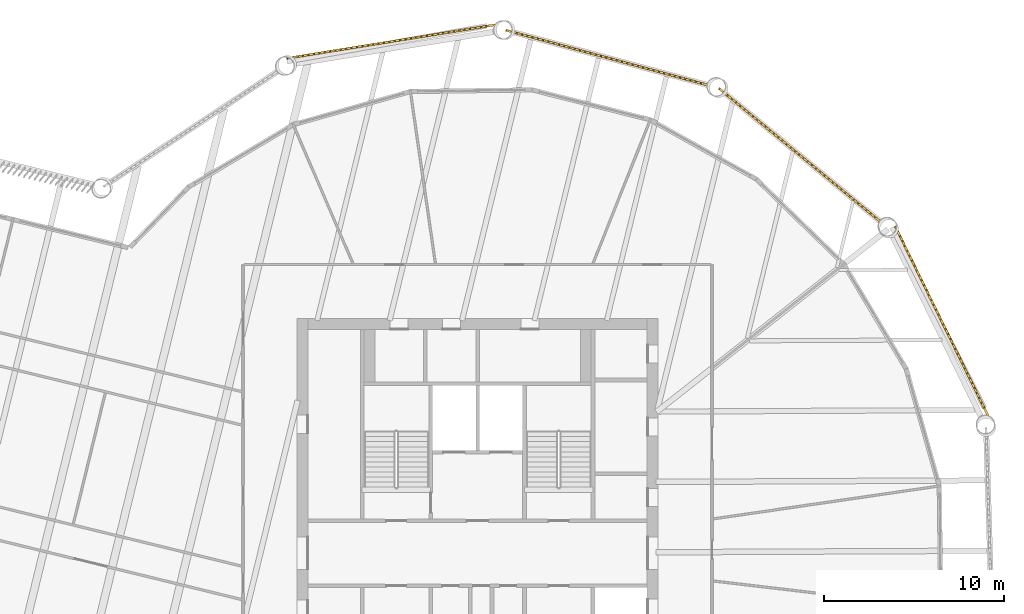
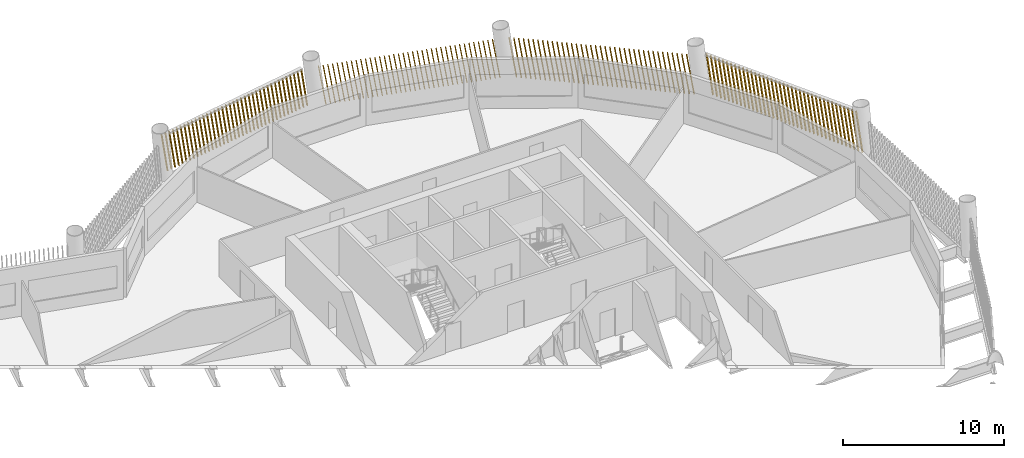
# One storey, part 14 of 15: 4 shading devices.
"""IFC4 building model written with IfcOpenShell, lengths in metres."""

from ifc_helpers import new_model, si_unit, direction, frame, frame_2d, origin, place, context, subcontext, project, spatial, rectangle, composite_profile, extrude, material, type_object, element, save


model = new_model("IFC4")

# Units and contexts
model_context = context("Model", 3, precision=1e-05, world=origin(), true_north=direction((0.0, 1.0)))
body_context = subcontext(model_context, "Body", "Model", "MODEL_VIEW")
ifc_project = project(units=[si_unit("LENGTHUNIT", "METRE"), si_unit("AREAUNIT", "SQUARE_METRE"), si_unit("VOLUMEUNIT", "CUBIC_METRE"), si_unit("PLANEANGLEUNIT", "RADIAN"), si_unit("MASSUNIT", "GRAM", prefix="KILO")], contexts=[model_context])

# Site, building, storey
site_placement = place(None, origin())
site = spatial("IfcSite", under=ifc_project, at=site_placement, CompositionType="ELEMENT")
building_placement = place(site_placement, origin())
building = spatial("IfcBuilding", under=site, at=building_placement, Name="Tarsis Ring Headquarters", CompositionType="ELEMENT")
storey_placement = place(building_placement, frame((0.0, 0.0, 227.699951171875)))
storey = spatial("IfcBuildingStorey", under=building, at=storey_placement, Name="L53", CompositionType="ELEMENT", Elevation=227.699951171875)

# Shading devices
ifc_material = material(Name="Terracotta baguette", Category="masonry")
shading_device_type = type_object("IfcShadingDeviceType", Name="Terracotta baguette screen", PredefinedType="USERDEFINED", material=ifc_material)
shading_device_1_placement = place(storey_placement, frame((28.31005859375, 7.61083984375, 0.0), z_axis=(0.0, 0.0, 1.0), x_axis=(-0.440086814976, 0.897948996202, 0.0)))
element("IfcShadingDevice", 1, at=shading_device_1_placement, inside=storey, type_object=shading_device_type, Name="Baguette screen L53-10", ObjectType="Terracotta baguette screen", PredefinedType="USERDEFINED", context=body_context, shape_type="SweptSolid", body=[
    extrude(composite_profile([rectangle(XDim=0.06005859375, YDim=0.1201171875, at=frame_2d((0.030029296875, 0.0))), rectangle(XDim=0.06005859375, YDim=0.1201171875, at=frame_2d((0.33251953125, 0.0))), rectangle(XDim=0.06005859375, YDim=0.1201171875, at=frame_2d((0.634765625, 0.0))), rectangle(XDim=0.06005859375, YDim=0.1201171875, at=frame_2d((0.937255859375, 0.0))), rectangle(XDim=0.06005859375, YDim=0.1201171875, at=frame_2d((1.239501953125, 0.0))), rectangle(XDim=0.06005859375, YDim=0.1201171875, at=frame_2d((1.5419921875, 0.0))), rectangle(XDim=0.06005859375, YDim=0.1201171875, at=frame_2d((1.844482421875, 0.0))), rectangle(XDim=0.06005859375, YDim=0.1201171875, at=frame_2d((2.146728515625, 0.0))), rectangle(XDim=0.06005859375, YDim=0.1201171875, at=frame_2d((2.44921875, 0.0))), rectangle(XDim=0.06005859375, YDim=0.1201171875, at=frame_2d((2.751708984375, 0.0))), rectangle(XDim=0.06005859375, YDim=0.1201171875, at=frame_2d((3.053955078125, 0.0))), rectangle(XDim=0.06005859375, YDim=0.1201171875, at=frame_2d((3.3564453125, 0.0))), rectangle(XDim=0.06005859375, YDim=0.1201171875, at=frame_2d((3.65869140625, 0.0))), rectangle(XDim=0.06005859375, YDim=0.1201171875, at=frame_2d((3.961181640625, 0.0))), rectangle(XDim=0.06005859375, YDim=0.1201171875, at=frame_2d((4.263671875, 0.0))), rectangle(XDim=0.06005859375, YDim=0.1201171875, at=frame_2d((4.56591796875, 0.0))), rectangle(XDim=0.06005859375, YDim=0.1201171875, at=frame_2d((4.868408203125, 0.0))), rectangle(XDim=0.06005859375, YDim=0.1201171875, at=frame_2d((5.1708984375, 0.0))), rectangle(XDim=0.06005859375, YDim=0.1201171875, at=frame_2d((5.47314453125, 0.0))), rectangle(XDim=0.06005859375, YDim=0.1201171875, at=frame_2d((5.775634765625, 0.0))), rectangle(XDim=0.06005859375, YDim=0.1201171875, at=frame_2d((6.077880859375, 0.0))), rectangle(XDim=0.06005859375, YDim=0.1201171875, at=frame_2d((6.38037109375, 0.0))), rectangle(XDim=0.06005859375, YDim=0.1201171875, at=frame_2d((6.682861328125, 0.0))), rectangle(XDim=0.06005859375, YDim=0.1201171875, at=frame_2d((6.985107421875, 0.0))), rectangle(XDim=0.06005859375, YDim=0.1201171875, at=frame_2d((7.28759765625, 0.0))), rectangle(XDim=0.06005859375, YDim=0.1201171875, at=frame_2d((7.590087890625, 0.0))), rectangle(XDim=0.06005859375, YDim=0.1201171875, at=frame_2d((7.892333984375, 0.0))), rectangle(XDim=0.06005859375, YDim=0.1201171875, at=frame_2d((8.19482421875, 0.0))), rectangle(XDim=0.06005859375, YDim=0.1201171875, at=frame_2d((8.4970703125, 0.0))), rectangle(XDim=0.06005859375, YDim=0.1201171875, at=frame_2d((8.799560546875, 0.0))), rectangle(XDim=0.06005859375, YDim=0.1201171875, at=frame_2d((9.10205078125, 0.0))), rectangle(XDim=0.06005859375, YDim=0.1201171875, at=frame_2d((9.404296875, 0.0))), rectangle(XDim=0.06005859375, YDim=0.1201171875, at=frame_2d((9.706787109375, 0.0))), rectangle(XDim=0.06005859375, YDim=0.1201171875, at=frame_2d((10.00927734375, 0.0))), rectangle(XDim=0.06005859375, YDim=0.1201171875, at=frame_2d((10.3115234375, 0.0))), rectangle(XDim=0.06005859375, YDim=0.1201171875, at=frame_2d((10.614013671875, 0.0))), rectangle(XDim=0.06005859375, YDim=0.1201171875, at=frame_2d((10.916259765625, 0.0))), rectangle(XDim=0.06005859375, YDim=0.1201171875, at=frame_2d((11.21875, 0.0)))]), origin(), (0.161263760824, 0.001348576308, 0.986910421865), 2.989013671875),
])
shading_device_2_placement = place(storey_placement, frame((22.417236328125, 18.31396484375, 0.0), z_axis=(0.0, 0.0, 1.0), x_axis=(-0.771068909387, 0.636744438416, 0.0)))
element("IfcShadingDevice", 2, at=shading_device_2_placement, inside=storey, type_object=shading_device_type, Name="Baguette screen L53-11", ObjectType="Terracotta baguette screen", PredefinedType="USERDEFINED", context=body_context, shape_type="SweptSolid", body=[
    extrude(composite_profile([rectangle(XDim=0.06005859375, YDim=0.1201171875, at=frame_2d((0.030029296875, 0.0))), rectangle(XDim=0.06005859375, YDim=0.1201171875, at=frame_2d((0.33251953125, 0.0))), rectangle(XDim=0.06005859375, YDim=0.1201171875, at=frame_2d((0.634765625, 0.0))), rectangle(XDim=0.06005859375, YDim=0.1201171875, at=frame_2d((0.937255859375, 0.0))), rectangle(XDim=0.06005859375, YDim=0.1201171875, at=frame_2d((1.239501953125, 0.0))), rectangle(XDim=0.06005859375, YDim=0.1201171875, at=frame_2d((1.5419921875, 0.0))), rectangle(XDim=0.06005859375, YDim=0.1201171875, at=frame_2d((1.844482421875, 0.0))), rectangle(XDim=0.06005859375, YDim=0.1201171875, at=frame_2d((2.146728515625, 0.0))), rectangle(XDim=0.06005859375, YDim=0.1201171875, at=frame_2d((2.44921875, 0.0))), rectangle(XDim=0.06005859375, YDim=0.1201171875, at=frame_2d((2.751708984375, 0.0))), rectangle(XDim=0.06005859375, YDim=0.1201171875, at=frame_2d((3.053955078125, 0.0))), rectangle(XDim=0.06005859375, YDim=0.1201171875, at=frame_2d((3.3564453125, 0.0))), rectangle(XDim=0.06005859375, YDim=0.1201171875, at=frame_2d((3.65869140625, 0.0))), rectangle(XDim=0.06005859375, YDim=0.1201171875, at=frame_2d((3.961181640625, 0.0))), rectangle(XDim=0.06005859375, YDim=0.1201171875, at=frame_2d((4.263671875, 0.0))), rectangle(XDim=0.06005859375, YDim=0.1201171875, at=frame_2d((4.56591796875, 0.0))), rectangle(XDim=0.06005859375, YDim=0.1201171875, at=frame_2d((4.868408203125, 0.0))), rectangle(XDim=0.06005859375, YDim=0.1201171875, at=frame_2d((5.1708984375, 0.0))), rectangle(XDim=0.06005859375, YDim=0.1201171875, at=frame_2d((5.47314453125, 0.0))), rectangle(XDim=0.06005859375, YDim=0.1201171875, at=frame_2d((5.775634765625, 0.0))), rectangle(XDim=0.06005859375, YDim=0.1201171875, at=frame_2d((6.077880859375, 0.0))), rectangle(XDim=0.06005859375, YDim=0.1201171875, at=frame_2d((6.38037109375, 0.0))), rectangle(XDim=0.06005859375, YDim=0.1201171875, at=frame_2d((6.682861328125, 0.0))), rectangle(XDim=0.06005859375, YDim=0.1201171875, at=frame_2d((6.985107421875, 0.0))), rectangle(XDim=0.06005859375, YDim=0.1201171875, at=frame_2d((7.28759765625, 0.0))), rectangle(XDim=0.06005859375, YDim=0.1201171875, at=frame_2d((7.590087890625, 0.0))), rectangle(XDim=0.06005859375, YDim=0.1201171875, at=frame_2d((7.892333984375, 0.0))), rectangle(XDim=0.06005859375, YDim=0.1201171875, at=frame_2d((8.19482421875, 0.0))), rectangle(XDim=0.06005859375, YDim=0.1201171875, at=frame_2d((8.4970703125, 0.0))), rectangle(XDim=0.06005859375, YDim=0.1201171875, at=frame_2d((8.799560546875, 0.0))), rectangle(XDim=0.06005859375, YDim=0.1201171875, at=frame_2d((9.10205078125, 0.0))), rectangle(XDim=0.06005859375, YDim=0.1201171875, at=frame_2d((9.404296875, 0.0))), rectangle(XDim=0.06005859375, YDim=0.1201171875, at=frame_2d((9.706787109375, 0.0))), rectangle(XDim=0.06005859375, YDim=0.1201171875, at=frame_2d((10.00927734375, 0.0))), rectangle(XDim=0.06005859375, YDim=0.1201171875, at=frame_2d((10.3115234375, 0.0))), rectangle(XDim=0.06005859375, YDim=0.1201171875, at=frame_2d((10.614013671875, 0.0))), rectangle(XDim=0.06005859375, YDim=0.1201171875, at=frame_2d((10.916259765625, 0.0))), rectangle(XDim=0.06005859375, YDim=0.1201171875, at=frame_2d((11.21875, 0.0)))]), origin(), (0.159215734763, 0.001336168018, 0.987242910564), 2.988037109375),
])
shading_device_3_placement = place(storey_placement, frame((12.87548828125, 25.926025390625, 0.0), z_axis=(0.0, 0.0, 1.0), x_axis=(-0.964991861096, 0.262311448725, 0.0)))
element("IfcShadingDevice", 3, at=shading_device_3_placement, inside=storey, type_object=shading_device_type, Name="Baguette screen L53-12", ObjectType="Terracotta baguette screen", PredefinedType="USERDEFINED", context=body_context, shape_type="SweptSolid", body=[
    extrude(composite_profile([rectangle(XDim=0.06005859375, YDim=0.1201171875, at=frame_2d((0.030029296875, 0.0))), rectangle(XDim=0.06005859375, YDim=0.1201171875, at=frame_2d((0.33251953125, 0.0))), rectangle(XDim=0.06005859375, YDim=0.1201171875, at=frame_2d((0.634765625, 0.0))), rectangle(XDim=0.06005859375, YDim=0.1201171875, at=frame_2d((0.937255859375, 0.0))), rectangle(XDim=0.06005859375, YDim=0.1201171875, at=frame_2d((1.239501953125, 0.0))), rectangle(XDim=0.06005859375, YDim=0.1201171875, at=frame_2d((1.5419921875, 0.0))), rectangle(XDim=0.06005859375, YDim=0.1201171875, at=frame_2d((1.844482421875, 0.0))), rectangle(XDim=0.06005859375, YDim=0.1201171875, at=frame_2d((2.146728515625, 0.0))), rectangle(XDim=0.06005859375, YDim=0.1201171875, at=frame_2d((2.44921875, 0.0))), rectangle(XDim=0.06005859375, YDim=0.1201171875, at=frame_2d((2.751708984375, 0.0))), rectangle(XDim=0.06005859375, YDim=0.1201171875, at=frame_2d((3.053955078125, 0.0))), rectangle(XDim=0.06005859375, YDim=0.1201171875, at=frame_2d((3.3564453125, 0.0))), rectangle(XDim=0.06005859375, YDim=0.1201171875, at=frame_2d((3.65869140625, 0.0))), rectangle(XDim=0.06005859375, YDim=0.1201171875, at=frame_2d((3.961181640625, 0.0))), rectangle(XDim=0.06005859375, YDim=0.1201171875, at=frame_2d((4.263671875, 0.0))), rectangle(XDim=0.06005859375, YDim=0.1201171875, at=frame_2d((4.56591796875, 0.0))), rectangle(XDim=0.06005859375, YDim=0.1201171875, at=frame_2d((4.868408203125, 0.0))), rectangle(XDim=0.06005859375, YDim=0.1201171875, at=frame_2d((5.1708984375, 0.0))), rectangle(XDim=0.06005859375, YDim=0.1201171875, at=frame_2d((5.47314453125, 0.0))), rectangle(XDim=0.06005859375, YDim=0.1201171875, at=frame_2d((5.775634765625, 0.0))), rectangle(XDim=0.06005859375, YDim=0.1201171875, at=frame_2d((6.077880859375, 0.0))), rectangle(XDim=0.06005859375, YDim=0.1201171875, at=frame_2d((6.38037109375, 0.0))), rectangle(XDim=0.06005859375, YDim=0.1201171875, at=frame_2d((6.682861328125, 0.0))), rectangle(XDim=0.06005859375, YDim=0.1201171875, at=frame_2d((6.985107421875, 0.0))), rectangle(XDim=0.06005859375, YDim=0.1201171875, at=frame_2d((7.28759765625, 0.0))), rectangle(XDim=0.06005859375, YDim=0.1201171875, at=frame_2d((7.590087890625, 0.0))), rectangle(XDim=0.06005859375, YDim=0.1201171875, at=frame_2d((7.892333984375, 0.0))), rectangle(XDim=0.06005859375, YDim=0.1201171875, at=frame_2d((8.19482421875, 0.0))), rectangle(XDim=0.06005859375, YDim=0.1201171875, at=frame_2d((8.4970703125, 0.0))), rectangle(XDim=0.06005859375, YDim=0.1201171875, at=frame_2d((8.799560546875, 0.0))), rectangle(XDim=0.06005859375, YDim=0.1201171875, at=frame_2d((9.10205078125, 0.0))), rectangle(XDim=0.06005859375, YDim=0.1201171875, at=frame_2d((9.404296875, 0.0))), rectangle(XDim=0.06005859375, YDim=0.1201171875, at=frame_2d((9.706787109375, 0.0))), rectangle(XDim=0.06005859375, YDim=0.1201171875, at=frame_2d((10.00927734375, 0.0))), rectangle(XDim=0.06005859375, YDim=0.1201171875, at=frame_2d((10.3115234375, 0.0))), rectangle(XDim=0.06005859375, YDim=0.1201171875, at=frame_2d((10.614013671875, 0.0))), rectangle(XDim=0.06005859375, YDim=0.1201171875, at=frame_2d((10.916259765625, 0.0))), rectangle(XDim=0.06005859375, YDim=0.1201171875, at=frame_2d((11.21875, 0.0)))]), origin(), (0.159217952231, 0.001336195353, 0.987242552906), 2.988037109375),
])
shading_device_4_placement = place(storey_placement, frame((0.98486328125, 29.298583984375, 0.0), z_axis=(0.0, 0.0, 1.0), x_axis=(-0.987303585381, -0.158781144197, 0.0)))
element("IfcShadingDevice", 4, at=shading_device_4_placement, inside=storey, type_object=shading_device_type, Name="Baguette screen L53-13", ObjectType="Terracotta baguette screen", PredefinedType="USERDEFINED", context=body_context, shape_type="SweptSolid", body=[
    extrude(composite_profile([rectangle(XDim=0.06005859375, YDim=0.1201171875, at=frame_2d((0.030029296875, 0.0))), rectangle(XDim=0.06005859375, YDim=0.1201171875, at=frame_2d((0.33251953125, 0.0))), rectangle(XDim=0.06005859375, YDim=0.1201171875, at=frame_2d((0.634765625, 0.0))), rectangle(XDim=0.06005859375, YDim=0.1201171875, at=frame_2d((0.937255859375, 0.0))), rectangle(XDim=0.06005859375, YDim=0.1201171875, at=frame_2d((1.239501953125, 0.0))), rectangle(XDim=0.06005859375, YDim=0.1201171875, at=frame_2d((1.5419921875, 0.0))), rectangle(XDim=0.06005859375, YDim=0.1201171875, at=frame_2d((1.844482421875, 0.0))), rectangle(XDim=0.06005859375, YDim=0.1201171875, at=frame_2d((2.146728515625, 0.0))), rectangle(XDim=0.06005859375, YDim=0.1201171875, at=frame_2d((2.44921875, 0.0))), rectangle(XDim=0.06005859375, YDim=0.1201171875, at=frame_2d((2.751708984375, 0.0))), rectangle(XDim=0.06005859375, YDim=0.1201171875, at=frame_2d((3.053955078125, 0.0))), rectangle(XDim=0.06005859375, YDim=0.1201171875, at=frame_2d((3.3564453125, 0.0))), rectangle(XDim=0.06005859375, YDim=0.1201171875, at=frame_2d((3.65869140625, 0.0))), rectangle(XDim=0.06005859375, YDim=0.1201171875, at=frame_2d((3.961181640625, 0.0))), rectangle(XDim=0.06005859375, YDim=0.1201171875, at=frame_2d((4.263671875, 0.0))), rectangle(XDim=0.06005859375, YDim=0.1201171875, at=frame_2d((4.56591796875, 0.0))), rectangle(XDim=0.06005859375, YDim=0.1201171875, at=frame_2d((4.868408203125, 0.0))), rectangle(XDim=0.06005859375, YDim=0.1201171875, at=frame_2d((5.1708984375, 0.0))), rectangle(XDim=0.06005859375, YDim=0.1201171875, at=frame_2d((5.47314453125, 0.0))), rectangle(XDim=0.06005859375, YDim=0.1201171875, at=frame_2d((5.775634765625, 0.0))), rectangle(XDim=0.06005859375, YDim=0.1201171875, at=frame_2d((6.077880859375, 0.0))), rectangle(XDim=0.06005859375, YDim=0.1201171875, at=frame_2d((6.38037109375, 0.0))), rectangle(XDim=0.06005859375, YDim=0.1201171875, at=frame_2d((6.682861328125, 0.0))), rectangle(XDim=0.06005859375, YDim=0.1201171875, at=frame_2d((6.985107421875, 0.0))), rectangle(XDim=0.06005859375, YDim=0.1201171875, at=frame_2d((7.28759765625, 0.0))), rectangle(XDim=0.06005859375, YDim=0.1201171875, at=frame_2d((7.590087890625, 0.0))), rectangle(XDim=0.06005859375, YDim=0.1201171875, at=frame_2d((7.892333984375, 0.0))), rectangle(XDim=0.06005859375, YDim=0.1201171875, at=frame_2d((8.19482421875, 0.0))), rectangle(XDim=0.06005859375, YDim=0.1201171875, at=frame_2d((8.4970703125, 0.0))), rectangle(XDim=0.06005859375, YDim=0.1201171875, at=frame_2d((8.799560546875, 0.0))), rectangle(XDim=0.06005859375, YDim=0.1201171875, at=frame_2d((9.10205078125, 0.0))), rectangle(XDim=0.06005859375, YDim=0.1201171875, at=frame_2d((9.404296875, 0.0))), rectangle(XDim=0.06005859375, YDim=0.1201171875, at=frame_2d((9.706787109375, 0.0))), rectangle(XDim=0.06005859375, YDim=0.1201171875, at=frame_2d((10.00927734375, 0.0))), rectangle(XDim=0.06005859375, YDim=0.1201171875, at=frame_2d((10.3115234375, 0.0))), rectangle(XDim=0.06005859375, YDim=0.1201171875, at=frame_2d((10.614013671875, 0.0))), rectangle(XDim=0.06005859375, YDim=0.1201171875, at=frame_2d((10.916259765625, 0.0))), rectangle(XDim=0.06005859375, YDim=0.1201171875, at=frame_2d((11.21875, 0.0)))]), origin(), (0.161263083298, 0.00135116692, 0.986910529031), 2.989013671875),
])

save(model, "model.ifc")
